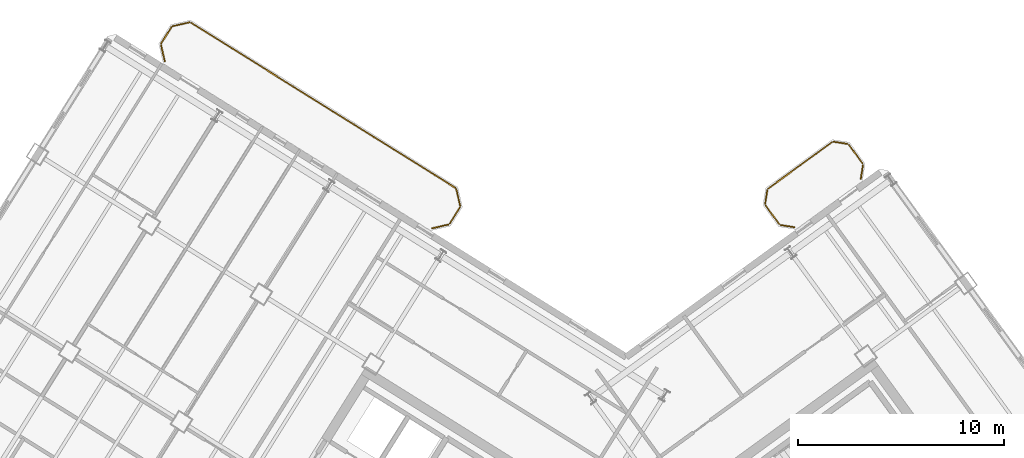
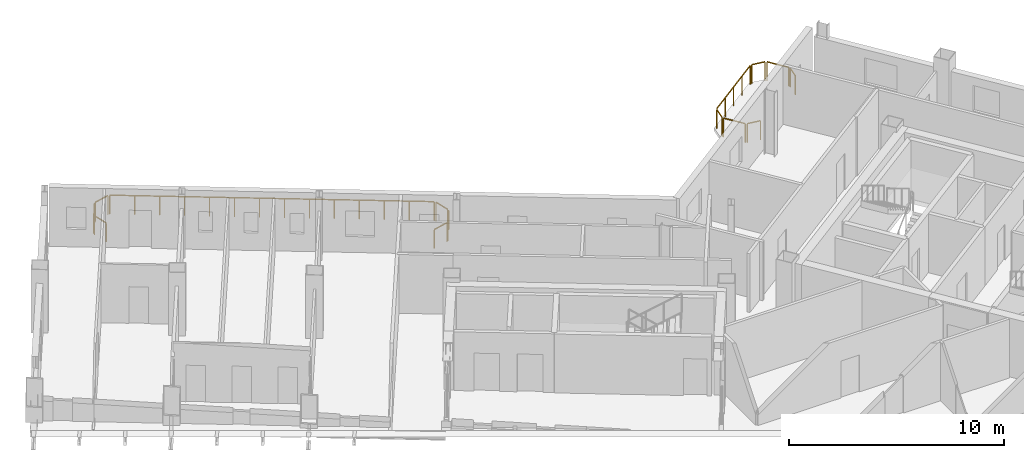
# One storey, part 20 of 20: 14 railings.
"""IFC4 building model written with IfcOpenShell, lengths in metres."""

from ifc_helpers import new_model, si_unit, direction, frame, origin, origin_2d, place, context, subcontext, project, spatial, rectangle, extrude, source, transform, mapped, material, type_object, element, save


model = new_model("IFC4")

# Units and contexts
model_context = context("Model", 3, precision=1e-05, world=origin(), true_north=direction((0.0, 1.0)))
body_context = subcontext(model_context, "Body", "Model", "MODEL_VIEW")
ifc_project = project(units=[si_unit("LENGTHUNIT", "METRE"), si_unit("AREAUNIT", "SQUARE_METRE"), si_unit("VOLUMEUNIT", "CUBIC_METRE"), si_unit("PLANEANGLEUNIT", "RADIAN"), si_unit("MASSUNIT", "GRAM", prefix="KILO")], contexts=[model_context])

# Site, building, storey
site_placement = place(None, origin())
site = spatial("IfcSite", under=ifc_project, at=site_placement, CompositionType="ELEMENT")
building_placement = place(site_placement, origin())
building = spatial("IfcBuilding", under=site, at=building_placement, Name="Tlacorven Tower", CompositionType="ELEMENT")
storey_placement = place(building_placement, frame((0.0, 0.0, 225.60009765625)))
storey = spatial("IfcBuildingStorey", under=building, at=storey_placement, Name="L57", CompositionType="ELEMENT", Elevation=225.60009765625)

# Railings
ifc_material = material(Name="Aluminium and painted steel balustrade", Category="steel")
railing_type = type_object("IfcRailingType", Name="RL-BAL-1100", PredefinedType="BALUSTRADE", material=ifc_material)
shared_shape_1 = source(origin(), body_context, "Body", "SweptSolid", [
    extrude(rectangle(XDim=0.048095703125, YDim=0.048095703125, at=origin_2d()), frame((0.0, 0.0, 1.076171875), z_axis=(0.974345290916, 0.225058334816, 0.0), x_axis=(-0.225058334816, 0.974345290916, 0.0)), (0.0, 0.0, 1.0), 0.80712890625),
    extrude(rectangle(XDim=0.0419921875, YDim=0.0419921875, at=origin_2d()), origin(), (0.0, 0.0, 1.0), 1.052001953125),
    extrude(rectangle(XDim=0.0419921875, YDim=0.0419921875, at=origin_2d()), frame((0.786376953125, 0.181640625, 0.0)), (0.0, 0.0, 1.0), 1.052001953125),
])
railing_1_placement = place(storey_placement, frame((20.2138671875, 47.643798828125, 0.0)))
element("IfcRailing", 1, at=railing_1_placement, inside=storey, type_object=railing_type, Name="BAL-L57-W-IN Guard Railing 6", PredefinedType="BALUSTRADE", context=body_context, shape_type="MappedRepresentation", body=[
    mapped(shared_shape_1, transform((0.0, 0.0, 0.0), scale=1.0)),
])
shared_shape_2 = source(origin(), body_context, "Body", "SweptSolid", [
    extrude(rectangle(XDim=0.048095703125, YDim=0.048095703125, at=origin_2d()), frame((0.0, 0.0, 1.076171875), z_axis=(-0.987661653326, 0.156602868908, 0.0), x_axis=(-0.156602868908, -0.987661653326, 0.0)), (0.0, 0.0, 1.0), 0.665771484375),
    extrude(rectangle(XDim=0.0419921875, YDim=0.0419921875, at=origin_2d()), origin(), (0.0, 0.0, 1.0), 1.052001953125),
    extrude(rectangle(XDim=0.0419921875, YDim=0.0419921875, at=origin_2d()), frame((-0.657470703125, 0.104248046875, 0.0)), (0.0, 0.0, 1.0), 1.052001953125),
])
railing_2_placement = place(storey_placement, frame((50.359130859375, 37.891845703125, 0.0)))
element("IfcRailing", 2, at=railing_2_placement, inside=storey, type_object=railing_type, Name="BAL-L57-E-IN Guard Railing 1", PredefinedType="BALUSTRADE", context=body_context, shape_type="MappedRepresentation", body=[
    mapped(shared_shape_2, transform((0.0, 0.0, 0.0), scale=1.0)),
])
shared_shape_3 = source(origin(), body_context, "Body", "SweptSolid", [
    extrude(rectangle(XDim=0.048095703125, YDim=0.048095703125, at=origin_2d()), frame((0.0, 0.0, 1.076171875), z_axis=(0.156602868908, 0.987661653326, 0.0), x_axis=(-0.987661653326, 0.156602868908, 0.0)), (0.0, 0.0, 1.0), 0.665771484375),
    extrude(rectangle(XDim=0.0419921875, YDim=0.0419921875, at=origin_2d()), origin(), (0.0, 0.0, 1.0), 1.052001953125),
    extrude(rectangle(XDim=0.0419921875, YDim=0.0419921875, at=origin_2d()), frame((0.104248046875, 0.657470703125, 0.0)), (0.0, 0.0, 1.0), 1.052001953125),
])
railing_3_placement = place(storey_placement, frame((48.947509765625, 39.033935546875, 0.0)))
element("IfcRailing", 3, at=railing_3_placement, inside=storey, type_object=railing_type, Name="BAL-L57-E-IN Guard Railing 3", PredefinedType="BALUSTRADE", context=body_context, shape_type="MappedRepresentation", body=[
    mapped(shared_shape_3, transform((0.0, 0.0, 0.0), scale=1.0)),
])
shared_shape_4 = source(origin(), body_context, "Body", "SweptSolid", [
    extrude(rectangle(XDim=0.048095703125, YDim=0.048095703125, at=origin_2d()), frame((0.0, 0.0, 1.076171875), z_axis=(-0.156245081039, -0.987718317463, 0.0), x_axis=(0.987718317463, -0.156245081039, 0.0)), (0.0, 0.0, 1.0), 0.66552734375),
    extrude(rectangle(XDim=0.0419921875, YDim=0.0419921875, at=origin_2d()), origin(), (0.0, 0.0, 1.0), 1.052001953125),
    extrude(rectangle(XDim=0.0419921875, YDim=0.0419921875, at=origin_2d()), frame((-0.10400390625, -0.657470703125, 0.0)), (0.0, 0.0, 1.0), 1.052001953125),
])
railing_4_placement = place(storey_placement, frame((53.689453125, 40.893310546875, 0.0)))
element("IfcRailing", 4, at=railing_4_placement, inside=storey, type_object=railing_type, Name="BAL-L57-E-IN Guard Railing 7", PredefinedType="BALUSTRADE", context=body_context, shape_type="MappedRepresentation", body=[
    mapped(shared_shape_4, transform((0.0, 0.0, 0.0), scale=1.0)),
])
shared_shape_5 = source(origin(), body_context, "Body", "SweptSolid", [
    extrude(rectangle(XDim=0.048095703125, YDim=0.048095703125, at=origin_2d()), frame((0.0, 0.0, 1.076171875), z_axis=(0.529998940003, 0.847998304005, 0.0), x_axis=(-0.847998304005, 0.529998940003, 0.0)), (0.0, 0.0, 1.0), 0.912109375),
    extrude(rectangle(XDim=0.0419921875, YDim=0.0419921875, at=origin_2d()), origin(), (0.0, 0.0, 1.0), 1.052001953125),
    extrude(rectangle(XDim=0.0419921875, YDim=0.0419921875, at=origin_2d()), frame((0.4833984375, 0.7734375, 0.0)), (0.0, 0.0, 1.0), 1.052001953125),
])
railing_5_placement = place(storey_placement, frame((19.6552734375, 46.816650390625, 0.0)))
element("IfcRailing", 5, at=railing_5_placement, inside=storey, type_object=railing_type, Name="BAL-L57-W-IN Guard Railing 5", PredefinedType="BALUSTRADE", context=body_context, shape_type="MappedRepresentation", body=[
    mapped(shared_shape_5, transform((0.0, 0.0, 0.0), scale=1.0)),
])
shared_shape_6 = source(origin(), body_context, "Body", "SweptSolid", [
    extrude(rectangle(XDim=0.048095703125, YDim=0.048095703125, at=origin_2d()), frame((0.0, 0.0, 1.076171875), z_axis=(0.224992020761, -0.974360606036, 0.0), x_axis=(0.974360606036, 0.224992020761, 0.0)), (0.0, 0.0, 1.0), 0.807373046875),
    extrude(rectangle(XDim=0.0419921875, YDim=0.0419921875, at=origin_2d()), origin(), (0.0, 0.0, 1.0), 1.052001953125),
    extrude(rectangle(XDim=0.0419921875, YDim=0.0419921875, at=origin_2d()), frame((0.181640625, -0.78662109375, 0.0)), (0.0, 0.0, 1.0), 1.052001953125),
])
railing_6_placement = place(storey_placement, frame((33.965087890625, 39.72412109375, 0.0)))
element("IfcRailing", 6, at=railing_6_placement, inside=storey, type_object=railing_type, Name="BAL-L57-W-IN Guard Railing 1", PredefinedType="BALUSTRADE", context=body_context, shape_type="MappedRepresentation", body=[
    mapped(shared_shape_6, transform((0.0, 0.0, 0.0), scale=1.0)),
])
shared_shape_7 = source(origin(), body_context, "Body", "SweptSolid", [
    extrude(rectangle(XDim=0.048095703125, YDim=0.048095703125, at=origin_2d()), frame((0.0, 0.0, 1.076171875), z_axis=(-0.529998940003, -0.847998304005, 0.0), x_axis=(0.847998304005, -0.529998940003, 0.0)), (0.0, 0.0, 1.0), 0.912109375),
    extrude(rectangle(XDim=0.0419921875, YDim=0.0419921875, at=origin_2d()), origin(), (0.0, 0.0, 1.0), 1.052001953125),
    extrude(rectangle(XDim=0.0419921875, YDim=0.0419921875, at=origin_2d()), frame((-0.4833984375, -0.7734375, 0.0)), (0.0, 0.0, 1.0), 1.052001953125),
])
railing_7_placement = place(storey_placement, frame((34.131591796875, 38.846435546875, 0.0)))
element("IfcRailing", 7, at=railing_7_placement, inside=storey, type_object=railing_type, Name="BAL-L57-W-IN Guard Railing 2", PredefinedType="BALUSTRADE", context=body_context, shape_type="MappedRepresentation", body=[
    mapped(shared_shape_7, transform((0.0, 0.0, 0.0), scale=1.0)),
])
shared_shape_8 = source(origin(), body_context, "Body", "SweptSolid", [
    extrude(rectangle(XDim=0.048095703125, YDim=0.048095703125, at=origin_2d()), frame((0.0, 0.0, 1.076171875), z_axis=(-0.974360606036, -0.224992020761, 0.0), x_axis=(0.224992020761, -0.974360606036, 0.0)), (0.0, 0.0, 1.0), 0.807373046875),
    extrude(rectangle(XDim=0.0419921875, YDim=0.0419921875, at=origin_2d()), origin(), (0.0, 0.0, 1.0), 1.052001953125),
    extrude(rectangle(XDim=0.0419921875, YDim=0.0419921875, at=origin_2d()), frame((-0.78662109375, -0.181640625, 0.0)), (0.0, 0.0, 1.0), 1.052001953125),
])
railing_8_placement = place(storey_placement, frame((33.572998046875, 38.019287109375, 0.0)))
element("IfcRailing", 8, at=railing_8_placement, inside=storey, type_object=railing_type, Name="BAL-L57-W-IN Guard Railing 3", PredefinedType="BALUSTRADE", context=body_context, shape_type="MappedRepresentation", body=[
    mapped(shared_shape_8, transform((0.0, 0.0, 0.0), scale=1.0)),
])
shared_shape_9 = source(origin(), body_context, "Body", "SweptSolid", [
    extrude(rectangle(XDim=0.048095703125, YDim=0.048095703125, at=origin_2d()), frame((0.0, 0.0, 1.076171875), z_axis=(-0.22470489119, 0.974426863277, 0.0), x_axis=(-0.974426863277, -0.22470489119, 0.0)), (0.0, 0.0, 1.0), 0.807373046875),
    extrude(rectangle(XDim=0.0419921875, YDim=0.0419921875, at=origin_2d()), origin(), (0.0, 0.0, 1.0), 1.052001953125),
    extrude(rectangle(XDim=0.0419921875, YDim=0.0419921875, at=origin_2d()), frame((-0.181396484375, 0.78662109375, 0.0)), (0.0, 0.0, 1.0), 1.052001953125),
])
railing_9_placement = place(storey_placement, frame((19.821533203125, 45.93896484375, 0.0)))
element("IfcRailing", 9, at=railing_9_placement, inside=storey, type_object=railing_type, Name="BAL-L57-W-IN Guard Railing 4", PredefinedType="BALUSTRADE", context=body_context, shape_type="MappedRepresentation", body=[
    mapped(shared_shape_9, transform((0.0, 0.0, 0.0), scale=1.0)),
])
shared_shape_10 = source(origin(), body_context, "Body", "SweptSolid", [
    extrude(rectangle(XDim=0.048095703125, YDim=0.048095703125, at=origin_2d()), frame((0.0, 0.0, 1.076171875), z_axis=(0.848051830527, -0.529913287944, 0.0), x_axis=(0.529913287944, 0.848051830527, 0.0)), (0.0, 0.0, 1.0), 15.1171875),
    extrude(rectangle(XDim=0.0419921875, YDim=0.0419921875, at=origin_2d()), origin(), (0.0, 0.0, 1.0), 1.052001953125),
    extrude(rectangle(XDim=0.0419921875, YDim=0.0419921875, at=origin_2d()), frame((0.986083984375, -0.6162109375, 0.0)), (0.0, 0.0, 1.0), 1.052001953125),
    extrude(rectangle(XDim=0.0419921875, YDim=0.0419921875, at=origin_2d()), frame((1.972412109375, -1.232421875, 0.0)), (0.0, 0.0, 1.0), 1.052001953125),
    extrude(rectangle(XDim=0.0419921875, YDim=0.0419921875, at=origin_2d()), frame((2.95849609375, -1.8486328125, 0.0)), (0.0, 0.0, 1.0), 1.052001953125),
    extrude(rectangle(XDim=0.0419921875, YDim=0.0419921875, at=origin_2d()), frame((3.944580078125, -2.46484375, 0.0)), (0.0, 0.0, 1.0), 1.052001953125),
    extrude(rectangle(XDim=0.0419921875, YDim=0.0419921875, at=origin_2d()), frame((4.930908203125, -3.0810546875, 0.0)), (0.0, 0.0, 1.0), 1.052001953125),
    extrude(rectangle(XDim=0.0419921875, YDim=0.0419921875, at=origin_2d()), frame((5.9169921875, -3.697265625, 0.0)), (0.0, 0.0, 1.0), 1.052001953125),
    extrude(rectangle(XDim=0.0419921875, YDim=0.0419921875, at=origin_2d()), frame((6.903076171875, -4.3134765625, 0.0)), (0.0, 0.0, 1.0), 1.052001953125),
    extrude(rectangle(XDim=0.0419921875, YDim=0.0419921875, at=origin_2d()), frame((7.88916015625, -4.9296875, 0.0)), (0.0, 0.0, 1.0), 1.052001953125),
    extrude(rectangle(XDim=0.0419921875, YDim=0.0419921875, at=origin_2d()), frame((8.87548828125, -5.5458984375, 0.0)), (0.0, 0.0, 1.0), 1.052001953125),
    extrude(rectangle(XDim=0.0419921875, YDim=0.0419921875, at=origin_2d()), frame((9.861572265625, -6.162109375, 0.0)), (0.0, 0.0, 1.0), 1.052001953125),
    extrude(rectangle(XDim=0.0419921875, YDim=0.0419921875, at=origin_2d()), frame((10.84765625, -6.7783203125, 0.0)), (0.0, 0.0, 1.0), 1.052001953125),
    extrude(rectangle(XDim=0.0419921875, YDim=0.0419921875, at=origin_2d()), frame((11.833984375, -7.39453125, 0.0)), (0.0, 0.0, 1.0), 1.052001953125),
    extrude(rectangle(XDim=0.0419921875, YDim=0.0419921875, at=origin_2d()), frame((12.820068359375, -8.0107421875, 0.0)), (0.0, 0.0, 1.0), 1.052001953125),
])
railing_10_placement = place(storey_placement, frame((21.091552734375, 47.81005859375, 0.0)))
element("IfcRailing", 10, at=railing_10_placement, inside=storey, type_object=railing_type, Name="BAL-L57-W-IN Guard Railing 7", PredefinedType="BALUSTRADE", context=body_context, shape_type="MappedRepresentation", body=[
    mapped(shared_shape_10, transform((0.0, 0.0, 0.0), scale=1.0)),
])
shared_shape_11 = source(origin(), body_context, "Body", "SweptSolid", [
    extrude(rectangle(XDim=0.048095703125, YDim=0.048095703125, at=origin_2d()), frame((0.0, 0.0, 1.076171875), z_axis=(-0.587636431696, 0.809125097957, 0.0), x_axis=(-0.809125097957, -0.587636431696, 0.0)), (0.0, 0.0, 1.0), 1.1123046875),
    extrude(rectangle(XDim=0.0419921875, YDim=0.0419921875, at=origin_2d()), origin(), (0.0, 0.0, 1.0), 1.052001953125),
    extrude(rectangle(XDim=0.0419921875, YDim=0.0419921875, at=origin_2d()), frame((-0.653564453125, 0.89990234375, 0.0)), (0.0, 0.0, 1.0), 1.052001953125),
])
railing_11_placement = place(storey_placement, frame((49.622802734375, 38.044189453125, 0.0)))
element("IfcRailing", 11, at=railing_11_placement, inside=storey, type_object=railing_type, Name="BAL-L57-E-IN Guard Railing 2", PredefinedType="BALUSTRADE", context=body_context, shape_type="MappedRepresentation", body=[
    mapped(shared_shape_11, transform((0.0, 0.0, 0.0), scale=1.0)),
])
shared_shape_12 = source(origin(), body_context, "Body", "SweptSolid", [
    extrude(rectangle(XDim=0.048095703125, YDim=0.048095703125, at=origin_2d()), frame((0.0, 0.0, 1.076171875), z_axis=(0.809018102573, 0.587783726986, 0.0), x_axis=(-0.587783726986, 0.809018102573, 0.0)), (0.0, 0.0, 1.0), 3.817138671875),
    extrude(rectangle(XDim=0.0419921875, YDim=0.0419921875, at=origin_2d()), origin(), (0.0, 0.0, 1.0), 1.052001953125),
    extrude(rectangle(XDim=0.0419921875, YDim=0.0419921875, at=origin_2d()), frame((0.77197265625, 0.56103515625, 0.0)), (0.0, 0.0, 1.0), 1.052001953125),
    extrude(rectangle(XDim=0.0419921875, YDim=0.0419921875, at=origin_2d()), frame((1.5439453125, 1.121826171875, 0.0)), (0.0, 0.0, 1.0), 1.052001953125),
    extrude(rectangle(XDim=0.0419921875, YDim=0.0419921875, at=origin_2d()), frame((2.316162109375, 1.6826171875, 0.0)), (0.0, 0.0, 1.0), 1.052001953125),
    extrude(rectangle(XDim=0.0419921875, YDim=0.0419921875, at=origin_2d()), frame((3.088134765625, 2.24365234375, 0.0)), (0.0, 0.0, 1.0), 1.052001953125),
])
railing_12_placement = place(storey_placement, frame((49.10009765625, 39.77001953125, 0.0)))
element("IfcRailing", 12, at=railing_12_placement, inside=storey, type_object=railing_type, Name="BAL-L57-E-IN Guard Railing 4", PredefinedType="BALUSTRADE", context=body_context, shape_type="MappedRepresentation", body=[
    mapped(shared_shape_12, transform((0.0, 0.0, 0.0), scale=1.0)),
])
shared_shape_13 = source(origin(), body_context, "Body", "SweptSolid", [
    extrude(rectangle(XDim=0.048095703125, YDim=0.048095703125, at=origin_2d()), frame((0.0, 0.0, 1.076171875), z_axis=(0.987661653326, -0.156602868908, 0.0), x_axis=(0.156602868908, 0.987661653326, 0.0)), (0.0, 0.0, 1.0), 0.665771484375),
    extrude(rectangle(XDim=0.0419921875, YDim=0.0419921875, at=origin_2d()), origin(), (0.0, 0.0, 1.0), 1.052001953125),
    extrude(rectangle(XDim=0.0419921875, YDim=0.0419921875, at=origin_2d()), frame((0.657470703125, -0.104248046875, 0.0)), (0.0, 0.0, 1.0), 1.052001953125),
])
railing_13_placement = place(storey_placement, frame((52.278076171875, 42.035400390625, 0.0)))
element("IfcRailing", 13, at=railing_13_placement, inside=storey, type_object=railing_type, Name="BAL-L57-E-IN Guard Railing 5", PredefinedType="BALUSTRADE", context=body_context, shape_type="MappedRepresentation", body=[
    mapped(shared_shape_13, transform((0.0, 0.0, 0.0), scale=1.0)),
])
shared_shape_14 = source(origin(), body_context, "Body", "SweptSolid", [
    extrude(rectangle(XDim=0.048095703125, YDim=0.048095703125, at=origin_2d()), frame((0.0, 0.0, 1.076171875), z_axis=(0.587780115446, -0.809020726488, 0.0), x_axis=(0.809020726488, 0.587780115446, 0.0)), (0.0, 0.0, 1.0), 1.1123046875),
    extrude(rectangle(XDim=0.0419921875, YDim=0.0419921875, at=origin_2d()), origin(), (0.0, 0.0, 1.0), 1.052001953125),
    extrude(rectangle(XDim=0.0419921875, YDim=0.0419921875, at=origin_2d()), frame((0.65380859375, -0.89990234375, 0.0)), (0.0, 0.0, 1.0), 1.052001953125),
])
railing_14_placement = place(storey_placement, frame((53.01416015625, 41.883056640625, 0.0)))
element("IfcRailing", 14, at=railing_14_placement, inside=storey, type_object=railing_type, Name="BAL-L57-E-IN Guard Railing 6", PredefinedType="BALUSTRADE", context=body_context, shape_type="MappedRepresentation", body=[
    mapped(shared_shape_14, transform((0.0, 0.0, 0.0), scale=1.0)),
])

save(model, "model.ifc")
